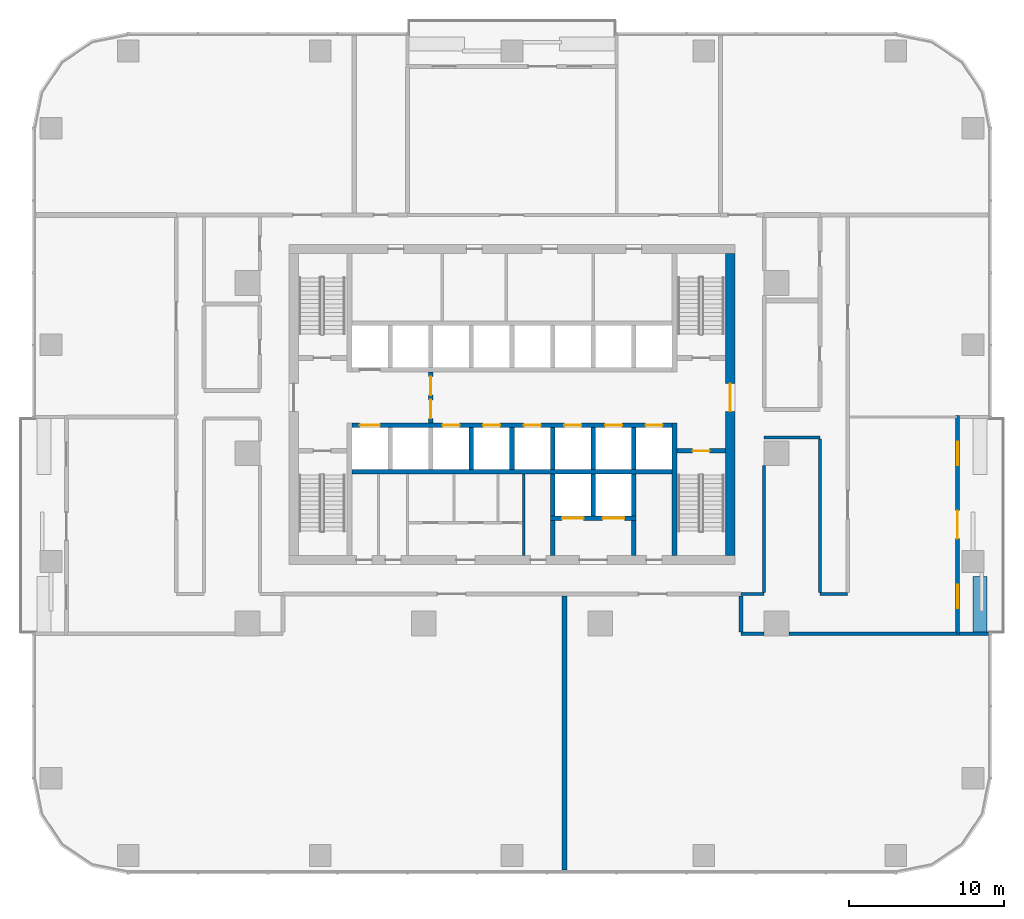
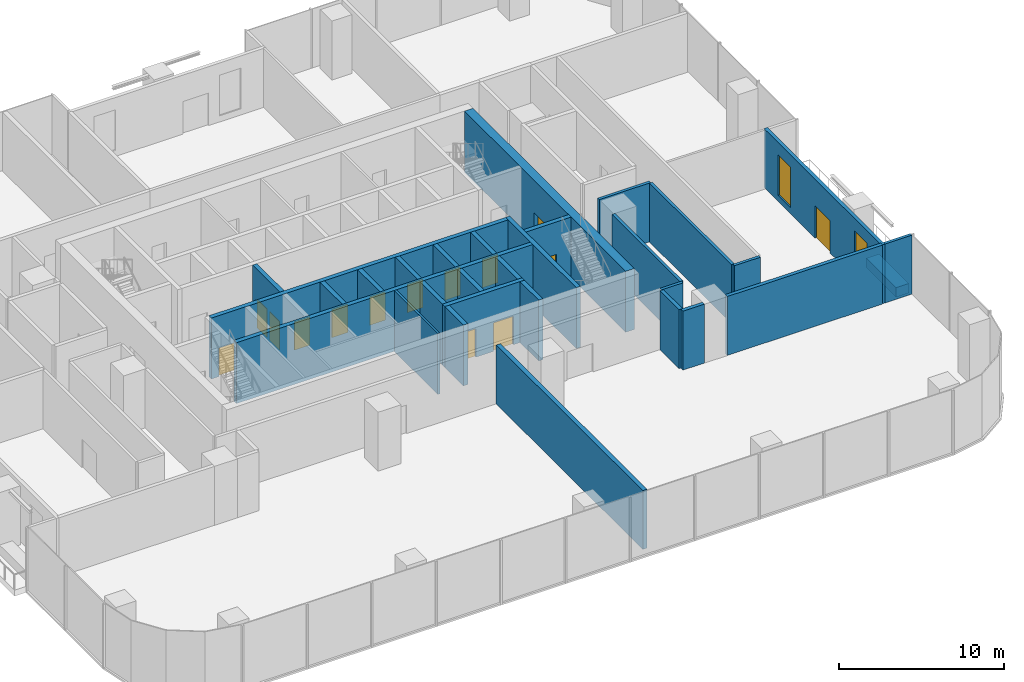
# One storey, part 8 of 14: 30 walls, 14 doors, 2 windows, 16 openings.
"""IFC4 building model written with IfcOpenShell, lengths in metres."""

from ifc_helpers import new_model, si_unit, direction, frame, frame_2d, origin, place, context, subcontext, project, spatial, rectangle, extrude, material, layer, layer_set, type_object, element, fill, save


model = new_model("IFC4")

# Units and contexts
model_context = context("Model", 3, precision=1e-05, world=origin(), true_north=direction((0.0, 1.0)))
body_context = subcontext(model_context, "Body", "Model", "MODEL_VIEW")
ifc_project = project(units=[si_unit("LENGTHUNIT", "METRE"), si_unit("AREAUNIT", "SQUARE_METRE"), si_unit("VOLUMEUNIT", "CUBIC_METRE"), si_unit("PLANEANGLEUNIT", "RADIAN"), si_unit("MASSUNIT", "GRAM", prefix="KILO")], contexts=[model_context])

# Site, building, storey
site_placement = place(None, origin())
site = spatial("IfcSite", under=ifc_project, at=site_placement, CompositionType="ELEMENT")
building_placement = place(site_placement, origin())
building = spatial("IfcBuilding", under=site, at=building_placement, Name="Mopane Tessera Tower", CompositionType="ELEMENT")
storey_placement = place(building_placement, frame((0.0, 0.0, 40.60009765625)))
storey = spatial("IfcBuildingStorey", under=building, at=storey_placement, Name="L07", CompositionType="ELEMENT", Elevation=40.60009765625)

# Wall
ifc_material_1 = material(Name="Fire-rated gypsum board partition")
ifc_layer_1 = layer(ifc_material_1, 0.14990234375)
ifc_layer_set_1 = layer_set([ifc_layer_1], Name="Fire-rated gypsum board partition")
wall_type_1 = type_object("IfcWallType", Name="Core room partition 150 mm", PredefinedType="PARTITIONING", material=ifc_layer_set_1)
wall_1_placement = place(storey_placement, frame((0.75, -6.60009765625, 0.0), z_axis=(0.0, 0.0, 1.0), x_axis=(0.0, 1.0, 0.0)))
element("IfcWall", 1, at=wall_1_placement, inside=storey, type_object=wall_type_1, Name="L07 Room partition", PredefinedType="PARTITIONING", context=body_context, shape_type="SweptSolid", body=[
    extrude(rectangle(XDim=5.25, YDim=0.14990234375, at=frame_2d((2.625, 0.0))), origin(), (0.0, 0.0, 1.0), 4.5),
])

# Wall, opening, door
ifc_material_2 = material(Name="Concrete C70/85", Category="concrete")
ifc_layer_2 = layer(ifc_material_2, 0.60009765625)
ifc_layer_set_2 = layer_set([ifc_layer_2], Name="Concrete C70/85")
wall_type_2 = type_object("IfcWallType", Name="Core shear wall 600 mm", PredefinedType="SHEAR", material=ifc_layer_set_2)
wall_2_placement = place(storey_placement, frame((14.10009765625, -6.60009765625, 0.0), z_axis=(0.0, 0.0, 1.0), x_axis=(0.0, 1.0, 0.0)))
wall_2 = element("IfcWall", 2, at=wall_2_placement, inside=storey, type_object=wall_type_2, Name="L07 Core wall east", PredefinedType="SHEAR", context=body_context, shape_type="SweptSolid", body=[
    extrude(rectangle(XDim=19.5, YDim=0.60009765625, at=frame_2d((9.75, 0.0))), origin(), (0.0, 0.0, 1.0), 4.5),
])
opening_1_placement = place(wall_2_placement, frame((9.300048828125, 0.0, 0.0)))
opening_1 = element("IfcOpeningElement", 3, at=opening_1_placement, cuts=wall_2, Name="Opening SD2", PredefinedType="OPENING", context=body_context, shape_type="SweptSolid", body=[
    extrude(rectangle(XDim=1.800048828125, YDim=2.10009765625, at=frame_2d((0.89990234375, 1.050048828125))), frame((0.0, 0.31201171875, 0.0), z_axis=(0.0, -1.0, 0.0), x_axis=(1.0, 0.0, 0.0)), (0.0, 0.0, 1.0), 0.6240234375),
])
ifc_material_3 = material(Name="Steel fire door", Category="steel")
door_type_1 = type_object("IfcDoorType", Name="Core entrance double door 1800 x 2100", OperationType="DOUBLE_DOOR_SINGLE_SWING", PredefinedType="DOOR", material=ifc_material_3)
door_1_placement = place(opening_1_placement, origin())
door_1 = element("IfcDoor", 4, at=door_1_placement, inside=storey, type_object=door_type_1, Name="L07 Core entrance door east", OperationType="DOUBLE_DOOR_SINGLE_SWING", OverallHeight=2.10009765625, OverallWidth=1.800048828125, PredefinedType="DOOR", context=body_context, shape_type="SweptSolid", body=[
    extrude(rectangle(XDim=1.800048828125, YDim=2.10009765625, at=frame_2d((0.89990234375, 1.050048828125))), frame((0.0, 0.02490234375, 0.0), z_axis=(0.0, -1.0, 0.0), x_axis=(1.0, 0.0, 0.0)), (0.0, 0.0, 1.0), 0.050048828125),
])
fill(opening_1, door_1)

# Walls
ifc_material_4 = material(Name="Concrete C60/75", Category="concrete")
ifc_layer_3 = layer(ifc_material_4, 0.300048828125)
ifc_layer_set_3 = layer_set([ifc_layer_3], Name="Concrete C60/75")
wall_type_3 = type_object("IfcWallType", Name="Core spine wall 300 mm", PredefinedType="SHEAR", material=ifc_layer_set_3)
wall_3_placement = place(storey_placement, frame((10.5, -6.60009765625, 0.0), z_axis=(0.0, 0.0, 1.0), x_axis=(0.0, 1.0, 0.0)))
element("IfcWall", 5, at=wall_3_placement, inside=storey, type_object=wall_type_3, Name="L07 Core spine wall", PredefinedType="SHEAR", context=body_context, shape_type="SweptSolid", body=[
    extrude(rectangle(XDim=8.550048828125, YDim=0.300048828125, at=frame_2d((4.27490234375, 0.0))), origin(), (0.0, 0.0, 1.0), 4.5),
])
ifc_material_5 = material(Name="Gypsum board on steel studs, two layers each face, mineral wool infill", Category="steel")
ifc_layer_4 = layer(ifc_material_5, 0.199951171875)
ifc_layer_set_4 = layer_set([ifc_layer_4], Name="Gypsum board on steel studs, two layers each face, mineral wool infill")
wall_type_4 = type_object("IfcWallType", Name="Gypsum board corridor wall 200, rated EI 60", PredefinedType="PARTITIONING", material=ifc_layer_set_4)
wall_4_placement = place(storey_placement, frame((14.800048828125, -9.10009765625, 0.0), z_axis=(0.0, 0.0, 1.0), x_axis=(1.0, 0.0, 0.0)))
element("IfcWall", 6, at=wall_4_placement, inside=storey, type_object=wall_type_4, Name="Partition L07:006", PredefinedType="PARTITIONING", context=body_context, shape_type="SweptSolid", body=[
    extrude(rectangle(XDim=1.5, YDim=0.199951171875, at=frame_2d((0.75, 0.0))), origin(), (0.0, 0.0, 1.0), 4.349853515625),
])
wall_5_placement = place(storey_placement, frame((19.89990234375, -9.10009765625, 0.0), z_axis=(0.0, 0.0, 1.0), x_axis=(1.0, 0.0, 0.0)))
element("IfcWall", 7, at=wall_5_placement, inside=storey, type_object=wall_type_4, Name="Partition L07:007", PredefinedType="PARTITIONING", context=body_context, shape_type="SweptSolid", body=[
    extrude(rectangle(XDim=1.800048828125, YDim=0.199951171875, at=frame_2d((0.89990234375, 0.0))), origin(), (0.0, 0.0, 1.0), 4.349853515625),
])
wall_6_placement = place(storey_placement, frame((16.300048828125, 1.02490234375, 0.0), z_axis=(0.0, 0.0, 1.0), x_axis=(1.0, 0.0, 0.0)))
element("IfcWall", 8, at=wall_6_placement, inside=storey, type_object=wall_type_4, Name="Partition L07:009", PredefinedType="PARTITIONING", context=body_context, shape_type="SweptSolid", body=[
    extrude(rectangle(XDim=3.599853515625, YDim=0.199951171875, at=frame_2d((1.7998046875, 0.0))), origin(), (0.0, 0.0, 1.0), 4.349853515625),
])
wall_7_placement = place(storey_placement, frame((16.300048828125, -9.0, 0.0), z_axis=(0.0, 0.0, 1.0), x_axis=(0.0, 1.0, 0.0)))
element("IfcWall", 9, at=wall_7_placement, inside=storey, type_object=wall_type_4, Name="Partition L07:040", PredefinedType="PARTITIONING", context=body_context, shape_type="SweptSolid", body=[
    extrude(rectangle(XDim=8.199951171875, YDim=0.199951171875, at=frame_2d((4.10009765625, 0.0))), origin(), (0.0, 0.0, 1.0), 4.349853515625),
])
wall_8_placement = place(storey_placement, frame((19.89990234375, -9.0, 0.0), z_axis=(0.0, 0.0, 1.0), x_axis=(0.0, 1.0, 0.0)))
element("IfcWall", 10, at=wall_8_placement, inside=storey, type_object=wall_type_4, Name="Partition L07:043", PredefinedType="PARTITIONING", context=body_context, shape_type="SweptSolid", body=[
    extrude(rectangle(XDim=9.925048828125, YDim=0.199951171875, at=frame_2d((4.96240234375, 0.0))), origin(), (0.0, 0.0, 1.0), 4.349853515625),
])

# Wall, opening, door
ifc_material_6 = material(Name="Concrete C50/60", Category="concrete")
ifc_layer_5 = layer(ifc_material_6, 0.300048828125)
ifc_layer_set_5 = layer_set([ifc_layer_5], Name="Concrete C50/60")
wall_type_5 = type_object("IfcWallType", Name="Lift and stair shaft wall 300 mm", PredefinedType="SOLIDWALL", material=ifc_layer_set_5)
wall_9_placement = place(storey_placement, frame((10.64990234375, 0.14990234375, 0.0), z_axis=(0.0, 0.0, 1.0), x_axis=(1.0, 0.0, 0.0)))
wall_9 = element("IfcWall", 11, at=wall_9_placement, inside=storey, type_object=wall_type_5, Name="L07 Stair enclosure wall", PredefinedType="SOLIDWALL", context=body_context, shape_type="SweptSolid", body=[
    extrude(rectangle(XDim=3.150146484375, YDim=0.300048828125, at=frame_2d((1.5751953125, 0.0))), origin(), (0.0, 0.0, 1.0), 4.5),
])
opening_2_placement = place(wall_9_placement, frame((1.02490234375, 0.0, 0.0)))
opening_2 = element("IfcOpeningElement", 12, at=opening_2_placement, cuts=wall_9, Name="Opening SD1", PredefinedType="OPENING", context=body_context, shape_type="SweptSolid", body=[
    extrude(rectangle(XDim=1.10009765625, YDim=2.10009765625, at=frame_2d((0.550048828125, 1.050048828125))), frame((0.0, 0.162109375, 0.0), z_axis=(0.0, -1.0, 0.0), x_axis=(1.0, 0.0, 0.0)), (0.0, 0.0, 1.0), 0.323974609375),
])
ifc_material_7 = material(Name="Steel fire door", Category="steel")
door_type_2 = type_object("IfcDoorType", Name="Stair fire door 1100 x 2100", OperationType="SINGLE_SWING_LEFT", PredefinedType="DOOR", material=ifc_material_7)
door_2_placement = place(opening_2_placement, origin())
door_2 = element("IfcDoor", 13, at=door_2_placement, inside=storey, type_object=door_type_2, Name="L07 Stair door ST3", OperationType="SINGLE_SWING_RIGHT", OverallHeight=2.10009765625, OverallWidth=1.10009765625, PredefinedType="DOOR", context=body_context, shape_type="SweptSolid", body=[
    extrude(rectangle(XDim=1.10009765625, YDim=2.10009765625, at=frame_2d((0.550048828125, 1.050048828125))), frame((0.0, 0.02490234375, 0.0), z_axis=(0.0, -1.0, 0.0), x_axis=(1.0, 0.0, 0.0)), (0.0, 0.0, 1.0), 0.050048828125),
])
fill(opening_2, door_2)

# Wall
wall_10_placement = place(storey_placement, frame((-10.35009765625, -1.199951171875, 0.0), z_axis=(0.0, 0.0, 1.0), x_axis=(1.0, 0.0, 0.0)))
element("IfcWall", 14, at=wall_10_placement, inside=storey, type_object=wall_type_5, Name="L07 Lift shaft rear wall", PredefinedType="SOLIDWALL", context=body_context, shape_type="SweptSolid", body=[
    extrude(rectangle(XDim=20.7001953125, YDim=0.300048828125, at=frame_2d((10.35009765625, 0.0))), origin(), (0.0, 0.0, 1.0), 4.5),
])

# Wall, openings, doors
wall_11_placement = place(storey_placement, frame((-10.35009765625, 1.800048828125, 0.0), z_axis=(0.0, 0.0, 1.0), x_axis=(1.0, 0.0, 0.0)))
wall_11 = element("IfcWall", 15, at=wall_11_placement, inside=storey, type_object=wall_type_5, Name="L07 Lift shaft front wall", PredefinedType="SOLIDWALL", context=body_context, shape_type="SweptSolid", body=[
    extrude(rectangle(XDim=20.7001953125, YDim=0.300048828125, at=frame_2d((10.35009765625, 0.0))), origin(), (0.0, 0.0, 1.0), 4.5),
])
opening_3_placement = place(wall_11_placement, frame((0.512451171875, 0.0, 0.0)))
opening_3 = element("IfcOpeningElement", 16, at=opening_3_placement, cuts=wall_11, Name="Opening LD2", PredefinedType="OPENING", context=body_context, shape_type="SweptSolid", body=[
    extrude(rectangle(XDim=1.300048828125, YDim=2.10009765625, at=frame_2d((0.64990234375, 1.050048828125))), frame((0.0, 0.162109375, 0.0), z_axis=(0.0, -1.0, 0.0), x_axis=(1.0, 0.0, 0.0)), (0.0, 0.0, 1.0), 0.323974609375),
])
opening_4_placement = place(wall_11_placement, frame((5.862548828125, 0.0, 0.0)))
opening_4 = element("IfcOpeningElement", 17, at=opening_4_placement, cuts=wall_11, Name="Opening LD", PredefinedType="OPENING", context=body_context, shape_type="SweptSolid", body=[
    extrude(rectangle(XDim=1.10009765625, YDim=2.10009765625, at=frame_2d((0.550048828125, 1.050048828125))), frame((0.0, 0.162109375, 0.0), z_axis=(0.0, -1.0, 0.0), x_axis=(1.0, 0.0, 0.0)), (0.0, 0.0, 1.0), 0.323974609375),
])
opening_5_placement = place(wall_11_placement, frame((8.487548828125, 0.0, 0.0)))
opening_5 = element("IfcOpeningElement", 18, at=opening_5_placement, cuts=wall_11, Name="Opening LD", PredefinedType="OPENING", context=body_context, shape_type="SweptSolid", body=[
    extrude(rectangle(XDim=1.10009765625, YDim=2.10009765625, at=frame_2d((0.550048828125, 1.050048828125))), frame((0.0, 0.162109375, 0.0), z_axis=(0.0, -1.0, 0.0), x_axis=(1.0, 0.0, 0.0)), (0.0, 0.0, 1.0), 0.323974609375),
])
opening_6_placement = place(wall_11_placement, frame((11.112548828125, 0.0, 0.0)))
opening_6 = element("IfcOpeningElement", 19, at=opening_6_placement, cuts=wall_11, Name="Opening LD", PredefinedType="OPENING", context=body_context, shape_type="SweptSolid", body=[
    extrude(rectangle(XDim=1.10009765625, YDim=2.10009765625, at=frame_2d((0.550048828125, 1.050048828125))), frame((0.0, 0.162109375, 0.0), z_axis=(0.0, -1.0, 0.0), x_axis=(1.0, 0.0, 0.0)), (0.0, 0.0, 1.0), 0.323974609375),
])
opening_7_placement = place(wall_11_placement, frame((13.737548828125, 0.0, 0.0)))
opening_7 = element("IfcOpeningElement", 20, at=opening_7_placement, cuts=wall_11, Name="Opening LD", PredefinedType="OPENING", context=body_context, shape_type="SweptSolid", body=[
    extrude(rectangle(XDim=1.10009765625, YDim=2.10009765625, at=frame_2d((0.550048828125, 1.050048828125))), frame((0.0, 0.162109375, 0.0), z_axis=(0.0, -1.0, 0.0), x_axis=(1.0, 0.0, 0.0)), (0.0, 0.0, 1.0), 0.323974609375),
])
opening_8_placement = place(wall_11_placement, frame((16.362548828125, 0.0, 0.0)))
opening_8 = element("IfcOpeningElement", 21, at=opening_8_placement, cuts=wall_11, Name="Opening LD", PredefinedType="OPENING", context=body_context, shape_type="SweptSolid", body=[
    extrude(rectangle(XDim=1.10009765625, YDim=2.10009765625, at=frame_2d((0.550048828125, 1.050048828125))), frame((0.0, 0.162109375, 0.0), z_axis=(0.0, -1.0, 0.0), x_axis=(1.0, 0.0, 0.0)), (0.0, 0.0, 1.0), 0.323974609375),
])
opening_9_placement = place(wall_11_placement, frame((18.987548828125, 0.0, 0.0)))
opening_9 = element("IfcOpeningElement", 22, at=opening_9_placement, cuts=wall_11, Name="Opening LD", PredefinedType="OPENING", context=body_context, shape_type="SweptSolid", body=[
    extrude(rectangle(XDim=1.10009765625, YDim=2.10009765625, at=frame_2d((0.550048828125, 1.050048828125))), frame((0.0, 0.162109375, 0.0), z_axis=(0.0, -1.0, 0.0), x_axis=(1.0, 0.0, 0.0)), (0.0, 0.0, 1.0), 0.323974609375),
])
ifc_material_8 = material(Name="Stainless steel sliding door", Category="steel")
door_type_3 = type_object("IfcDoorType", Name="Fire-fighting lift landing door 1300 x 2100", OperationType="DOUBLE_DOOR_SLIDING", PredefinedType="DOOR", material=ifc_material_8)
door_3_placement = place(opening_3_placement, origin())
door_3 = element("IfcDoor", 23, at=door_3_placement, inside=storey, type_object=door_type_3, Name="L07 Lift landing door FF1", OperationType="DOUBLE_DOOR_SLIDING", OverallHeight=2.10009765625, OverallWidth=1.300048828125, PredefinedType="DOOR", context=body_context, shape_type="SweptSolid", body=[
    extrude(rectangle(XDim=1.300048828125, YDim=2.10009765625, at=frame_2d((0.64990234375, 1.050048828125))), frame((0.0, 0.02490234375, 0.0), z_axis=(0.0, -1.0, 0.0), x_axis=(1.0, 0.0, 0.0)), (0.0, 0.0, 1.0), 0.050048828125),
])
fill(opening_3, door_3)
ifc_material_9 = material(Name="Stainless steel sliding door", Category="steel")
door_type_4 = type_object("IfcDoorType", Name="Lift landing door 1100 x 2100", OperationType="DOUBLE_DOOR_SLIDING", PredefinedType="DOOR", material=ifc_material_9)
door_4_placement = place(opening_4_placement, origin())
door_4 = element("IfcDoor", 24, at=door_4_placement, inside=storey, type_object=door_type_4, Name="L07 Lift landing door LR1", OperationType="DOUBLE_DOOR_SLIDING", OverallHeight=2.10009765625, OverallWidth=1.10009765625, PredefinedType="DOOR", context=body_context, shape_type="SweptSolid", body=[
    extrude(rectangle(XDim=1.10009765625, YDim=2.10009765625, at=frame_2d((0.550048828125, 1.050048828125))), frame((0.0, 0.02490234375, 0.0), z_axis=(0.0, -1.0, 0.0), x_axis=(1.0, 0.0, 0.0)), (0.0, 0.0, 1.0), 0.050048828125),
])
fill(opening_4, door_4)
door_5_placement = place(opening_5_placement, origin())
door_5 = element("IfcDoor", 25, at=door_5_placement, inside=storey, type_object=door_type_4, Name="L07 Lift landing door LR2", OperationType="DOUBLE_DOOR_SLIDING", OverallHeight=2.10009765625, OverallWidth=1.10009765625, PredefinedType="DOOR", context=body_context, shape_type="SweptSolid", body=[
    extrude(rectangle(XDim=1.10009765625, YDim=2.10009765625, at=frame_2d((0.550048828125, 1.050048828125))), frame((0.0, 0.02490234375, 0.0), z_axis=(0.0, -1.0, 0.0), x_axis=(1.0, 0.0, 0.0)), (0.0, 0.0, 1.0), 0.050048828125),
])
fill(opening_5, door_5)
door_6_placement = place(opening_6_placement, origin())
door_6 = element("IfcDoor", 26, at=door_6_placement, inside=storey, type_object=door_type_4, Name="L07 Lift landing door LR3", OperationType="DOUBLE_DOOR_SLIDING", OverallHeight=2.10009765625, OverallWidth=1.10009765625, PredefinedType="DOOR", context=body_context, shape_type="SweptSolid", body=[
    extrude(rectangle(XDim=1.10009765625, YDim=2.10009765625, at=frame_2d((0.550048828125, 1.050048828125))), frame((0.0, 0.02490234375, 0.0), z_axis=(0.0, -1.0, 0.0), x_axis=(1.0, 0.0, 0.0)), (0.0, 0.0, 1.0), 0.050048828125),
])
fill(opening_6, door_6)
door_7_placement = place(opening_7_placement, origin())
door_7 = element("IfcDoor", 27, at=door_7_placement, inside=storey, type_object=door_type_4, Name="L07 Lift landing door LR4", OperationType="DOUBLE_DOOR_SLIDING", OverallHeight=2.10009765625, OverallWidth=1.10009765625, PredefinedType="DOOR", context=body_context, shape_type="SweptSolid", body=[
    extrude(rectangle(XDim=1.10009765625, YDim=2.10009765625, at=frame_2d((0.550048828125, 1.050048828125))), frame((0.0, 0.02490234375, 0.0), z_axis=(0.0, -1.0, 0.0), x_axis=(1.0, 0.0, 0.0)), (0.0, 0.0, 1.0), 0.050048828125),
])
fill(opening_7, door_7)
door_8_placement = place(opening_8_placement, origin())
door_8 = element("IfcDoor", 28, at=door_8_placement, inside=storey, type_object=door_type_4, Name="L07 Lift landing door LR5", OperationType="DOUBLE_DOOR_SLIDING", OverallHeight=2.10009765625, OverallWidth=1.10009765625, PredefinedType="DOOR", context=body_context, shape_type="SweptSolid", body=[
    extrude(rectangle(XDim=1.10009765625, YDim=2.10009765625, at=frame_2d((0.550048828125, 1.050048828125))), frame((0.0, 0.02490234375, 0.0), z_axis=(0.0, -1.0, 0.0), x_axis=(1.0, 0.0, 0.0)), (0.0, 0.0, 1.0), 0.050048828125),
])
fill(opening_8, door_8)
door_9_placement = place(opening_9_placement, origin())
door_9 = element("IfcDoor", 29, at=door_9_placement, inside=storey, type_object=door_type_4, Name="L07 Lift landing door LR6", OperationType="DOUBLE_DOOR_SLIDING", OverallHeight=2.10009765625, OverallWidth=1.10009765625, PredefinedType="DOOR", context=body_context, shape_type="SweptSolid", body=[
    extrude(rectangle(XDim=1.10009765625, YDim=2.10009765625, at=frame_2d((0.550048828125, 1.050048828125))), frame((0.0, 0.02490234375, 0.0), z_axis=(0.0, -1.0, 0.0), x_axis=(1.0, 0.0, 0.0)), (0.0, 0.0, 1.0), 0.050048828125),
])
fill(opening_9, door_9)

# Walls
for number, where, z_axis, x_axis, name in (
    (30, (-2.625, -1.050048828125, 0.0), (0.0, 0.0, 1.0), (0.0, 1.0, 0.0), "L07 Lift shaft wall"),
    (31, (0.0, -1.050048828125, 0.0), (0.0, 0.0, 1.0), (0.0, 1.0, 0.0), "L07 Lift shaft wall"),
    (32, (2.625, -1.050048828125, 0.0), (0.0, 0.0, 1.0), (0.0, 1.0, 0.0), "L07 Lift shaft wall"),
    (33, (5.25, -1.050048828125, 0.0), (0.0, 0.0, 1.0), (0.0, 1.0, 0.0), "L07 Lift shaft wall"),
    (34, (7.875, -1.050048828125, 0.0), (0.0, 0.0, 1.0), (0.0, 1.0, 0.0), "L07 Lift shaft wall"),
):
    element("IfcWall", number, at=place(storey_placement, frame(where, z_axis=z_axis, x_axis=x_axis)), inside=storey, type_object=wall_type_5, Name=name, PredefinedType="SOLIDWALL", context=body_context, shape_type="SweptSolid", body=[
        extrude(rectangle(XDim=2.699951171875, YDim=0.300048828125, at=frame_2d((1.35009765625, 0.0))), origin(), (0.0, 0.0, 1.0), 4.5),
    ])

# Wall, openings, doors
wall_12_placement = place(storey_placement, frame((2.47509765625, -4.199951171875, 0.0), z_axis=(0.0, 0.0, 1.0), x_axis=(1.0, 0.0, 0.0)))
wall_12 = element("IfcWall", 35, at=wall_12_placement, inside=storey, type_object=wall_type_5, Name="L07 Lift shaft front wall", PredefinedType="SOLIDWALL", context=body_context, shape_type="SweptSolid", body=[
    extrude(rectangle(XDim=5.5498046875, YDim=0.300048828125, at=frame_2d((2.77490234375, 0.0))), origin(), (0.0, 0.0, 1.0), 4.5),
])
opening_10_placement = place(wall_12_placement, frame((0.762451171875, 0.0, 0.0)))
opening_10 = element("IfcOpeningElement", 36, at=opening_10_placement, cuts=wall_12, Name="Opening LD3", PredefinedType="OPENING", context=body_context, shape_type="SweptSolid", body=[
    extrude(rectangle(XDim=1.39990234375, YDim=2.10009765625, at=frame_2d((0.699951171875, 1.050048828125))), frame((0.0, 0.162109375, 0.0), z_axis=(0.0, -1.0, 0.0), x_axis=(1.0, 0.0, 0.0)), (0.0, 0.0, 1.0), 0.323974609375),
])
opening_11_placement = place(wall_12_placement, frame((3.387451171875, 0.0, 0.0)))
opening_11 = element("IfcOpeningElement", 37, at=opening_11_placement, cuts=wall_12, Name="Opening LD3", PredefinedType="OPENING", context=body_context, shape_type="SweptSolid", body=[
    extrude(rectangle(XDim=1.39990234375, YDim=2.10009765625, at=frame_2d((0.699951171875, 1.050048828125))), frame((0.0, 0.162109375, 0.0), z_axis=(0.0, -1.0, 0.0), x_axis=(1.0, 0.0, 0.0)), (0.0, 0.0, 1.0), 0.323974609375),
])
ifc_material_10 = material(Name="Stainless steel sliding door", Category="steel")
door_type_5 = type_object("IfcDoorType", Name="Service lift landing door 1400 x 2100", OperationType="DOUBLE_DOOR_SLIDING", PredefinedType="DOOR", material=ifc_material_10)
door_10_placement = place(opening_10_placement, origin())
door_10 = element("IfcDoor", 38, at=door_10_placement, inside=storey, type_object=door_type_5, Name="L07 Lift landing door SV1", OperationType="DOUBLE_DOOR_SLIDING", OverallHeight=2.10009765625, OverallWidth=1.39990234375, PredefinedType="DOOR", context=body_context, shape_type="SweptSolid", body=[
    extrude(rectangle(XDim=1.39990234375, YDim=2.10009765625, at=frame_2d((0.699951171875, 1.050048828125))), frame((0.0, 0.02490234375, 0.0), z_axis=(0.0, -1.0, 0.0), x_axis=(1.0, 0.0, 0.0)), (0.0, 0.0, 1.0), 0.050048828125),
])
fill(opening_10, door_10)
door_11_placement = place(opening_11_placement, origin())
door_11 = element("IfcDoor", 39, at=door_11_placement, inside=storey, type_object=door_type_5, Name="L07 Lift landing door SV2", OperationType="DOUBLE_DOOR_SLIDING", OverallHeight=2.10009765625, OverallWidth=1.39990234375, PredefinedType="DOOR", context=body_context, shape_type="SweptSolid", body=[
    extrude(rectangle(XDim=1.39990234375, YDim=2.10009765625, at=frame_2d((0.699951171875, 1.050048828125))), frame((0.0, 0.02490234375, 0.0), z_axis=(0.0, -1.0, 0.0), x_axis=(1.0, 0.0, 0.0)), (0.0, 0.0, 1.0), 0.050048828125),
])
fill(opening_11, door_11)

# Walls
for number, where, z_axis, x_axis, name in (
    (40, (2.625, -4.050048828125, 0.0), (0.0, 0.0, 1.0), (0.0, 1.0, 0.0), "L07 Lift shaft wall"),
    (41, (5.25, -4.050048828125, 0.0), (0.0, 0.0, 1.0), (0.0, 1.0, 0.0), "L07 Lift shaft wall"),
    (42, (7.875, -4.050048828125, 0.0), (0.0, 0.0, 1.0), (0.0, 1.0, 0.0), "L07 Lift shaft wall"),
):
    element("IfcWall", number, at=place(storey_placement, frame(where, z_axis=z_axis, x_axis=x_axis)), inside=storey, type_object=wall_type_5, Name=name, PredefinedType="SOLIDWALL", context=body_context, shape_type="SweptSolid", body=[
        extrude(rectangle(XDim=2.699951171875, YDim=0.300048828125, at=frame_2d((1.35009765625, 0.0))), origin(), (0.0, 0.0, 1.0), 4.5),
    ])

# Wall, openings, doors
ifc_material_11 = material(Name="Concrete C50/60", Category="concrete")
ifc_layer_6 = layer(ifc_material_11, 0.300048828125)
ifc_layer_set_6 = layer_set([ifc_layer_6], Name="Concrete C50/60")
wall_type_6 = type_object("IfcWallType", Name="Lobby and refuge room wall 300 mm", PredefinedType="SOLIDWALL", material=ifc_layer_set_6)
wall_13_placement = place(storey_placement, frame((-5.25, 1.949951171875, 0.0), z_axis=(0.0, 0.0, 1.0), x_axis=(0.0, 1.0, 0.0)))
wall_13 = element("IfcWall", 43, at=wall_13_placement, inside=storey, type_object=wall_type_6, Name="L07 Fire-fighting lobby wall", PredefinedType="SOLIDWALL", context=body_context, shape_type="SweptSolid", body=[
    extrude(rectangle(XDim=3.300048828125, YDim=0.300048828125, at=frame_2d((1.64990234375, 0.0))), origin(), (0.0, 0.0, 1.0), 4.5),
])
opening_12_placement = place(wall_13_placement, frame((0.300048828125, 0.0, 0.0)))
opening_12 = element("IfcOpeningElement", 44, at=opening_12_placement, cuts=wall_13, Name="Opening SD3", PredefinedType="OPENING", context=body_context, shape_type="SweptSolid", body=[
    extrude(rectangle(XDim=1.199951171875, YDim=2.10009765625, at=frame_2d((0.60009765625, 1.050048828125))), frame((0.0, 0.162109375, 0.0), z_axis=(0.0, -1.0, 0.0), x_axis=(1.0, 0.0, 0.0)), (0.0, 0.0, 1.0), 0.323974609375),
])
opening_13_placement = place(wall_13_placement, frame((1.800048828125, 0.0, 0.0)))
opening_13 = element("IfcOpeningElement", 45, at=opening_13_placement, cuts=wall_13, Name="Opening SD3", PredefinedType="OPENING", context=body_context, shape_type="SweptSolid", body=[
    extrude(rectangle(XDim=1.199951171875, YDim=2.10009765625, at=frame_2d((0.60009765625, 1.050048828125))), frame((0.0, 0.162109375, 0.0), z_axis=(0.0, -1.0, 0.0), x_axis=(1.0, 0.0, 0.0)), (0.0, 0.0, 1.0), 0.323974609375),
])
ifc_material_12 = material(Name="Steel fire door", Category="steel")
door_type_6 = type_object("IfcDoorType", Name="Lobby fire door 1200 x 2100", OperationType="SINGLE_SWING_LEFT", PredefinedType="DOOR", material=ifc_material_12)
door_12_placement = place(opening_12_placement, origin())
door_12 = element("IfcDoor", 46, at=door_12_placement, inside=storey, type_object=door_type_6, Name="L07 Fire-fighting lobby door", OperationType="SINGLE_SWING_LEFT", OverallHeight=2.10009765625, OverallWidth=1.199951171875, PredefinedType="DOOR", context=body_context, shape_type="SweptSolid", body=[
    extrude(rectangle(XDim=1.199951171875, YDim=2.10009765625, at=frame_2d((0.60009765625, 1.050048828125))), frame((0.0, 0.02490234375, 0.0), z_axis=(0.0, -1.0, 0.0), x_axis=(1.0, 0.0, 0.0)), (0.0, 0.0, 1.0), 0.050048828125),
])
fill(opening_12, door_12)
door_13_placement = place(opening_13_placement, origin())
door_13 = element("IfcDoor", 47, at=door_13_placement, inside=storey, type_object=door_type_6, Name="L07 Fire-fighting lobby door", OperationType="SINGLE_SWING_RIGHT", OverallHeight=2.10009765625, OverallWidth=1.199951171875, PredefinedType="DOOR", context=body_context, shape_type="SweptSolid", body=[
    extrude(rectangle(XDim=1.199951171875, YDim=2.10009765625, at=frame_2d((0.60009765625, 1.050048828125))), frame((0.0, 0.02490234375, 0.0), z_axis=(0.0, -1.0, 0.0), x_axis=(1.0, 0.0, 0.0)), (0.0, 0.0, 1.0), 0.050048828125),
])
fill(opening_13, door_13)

# Walls
for number, where, z_axis, x_axis, name in (
    (48, (2.625, -6.60009765625, 0.0), (0.0, 0.0, 1.0), (0.0, 1.0, 0.0), "L07 Service lobby wall"),
    (49, (7.875, -6.60009765625, 0.0), (0.0, 0.0, 1.0), (0.0, 1.0, 0.0), "L07 Service lobby wall"),
):
    element("IfcWall", number, at=place(storey_placement, frame(where, z_axis=z_axis, x_axis=x_axis)), inside=storey, type_object=wall_type_6, Name=name, PredefinedType="SOLIDWALL", context=body_context, shape_type="SweptSolid", body=[
        extrude(rectangle(XDim=2.25, YDim=0.300048828125, at=frame_2d((1.125, 0.0))), origin(), (0.0, 0.0, 1.0), 4.5),
    ])
ifc_material_13 = material(Name="Reinforced concrete C32/40 with waterproofing", Category="concrete")
ifc_layer_7 = layer(ifc_material_13, 0.89990234375)
ifc_layer_set_7 = layer_set([ifc_layer_7], Name="Reinforced concrete C32/40 with waterproofing")
wall_type_7 = type_object("IfcWallType", Name="Planter trough 3600 x 900", PredefinedType="STANDARD", material=ifc_layer_set_7)
wall_14_placement = place(storey_placement, frame((30.25, -11.566650390625, 0.0), z_axis=(0.0, 0.0, 1.0), x_axis=(0.0, 1.0, 0.0)))
element("IfcWall", 50, at=wall_14_placement, inside=storey, type_object=wall_type_7, Name="e:nw:L07:N1:pl0", PredefinedType="STANDARD", context=body_context, shape_type="SweptSolid", body=[
    extrude(rectangle(XDim=3.60009765625, YDim=0.89990234375, at=frame_2d((1.800048828125, 0.0))), origin(), (0.0, 0.0, 1.0), 0.699951171875),
])
ifc_material_14 = material(Name="Plastered concrete blockwork C20/25", Category="masonry")
ifc_layer_8 = layer(ifc_material_14, 0.300048828125)
ifc_layer_set_8 = layer_set([ifc_layer_8], Name="Plastered concrete blockwork C20/25")
wall_type_8 = type_object("IfcWallType", Name="Plastered blockwork separation wall 300, rated EI 120", PredefinedType="PARTITIONING", material=ifc_layer_set_8)
wall_15_placement = place(storey_placement, frame((3.39501953125, -26.949951171875, 0.0), z_axis=(0.0, 0.0, 1.0), x_axis=(0.0, 1.0, 0.0)))
element("IfcWall", 51, at=wall_15_placement, inside=storey, type_object=wall_type_8, Name="Partition L07:036", PredefinedType="PARTITIONING", context=body_context, shape_type="SweptSolid", body=[
    extrude(rectangle(XDim=17.724853515625, YDim=0.300048828125, at=frame_2d((8.8623046875, 0.0))), origin(), (0.0, 0.0, 1.0), 4.349853515625),
])
ifc_material_15 = material(Name="Plastered concrete blockwork C20/25", Category="masonry")
ifc_layer_9 = layer(ifc_material_15, 0.25)
ifc_layer_set_9 = layer_set([ifc_layer_9], Name="Plastered concrete blockwork C20/25")
wall_type_9 = type_object("IfcWallType", Name="Plastered blockwork wall 250, rated EI 120", PredefinedType="PARTITIONING", material=ifc_layer_set_9)
wall_16_placement = place(storey_placement, frame((14.800048828125, -11.6650390625, 0.0), z_axis=(0.0, 0.0, 1.0), x_axis=(1.0, 0.0, 0.0)))
element("IfcWall", 52, at=wall_16_placement, inside=storey, type_object=wall_type_9, Name="Partition L07:002", PredefinedType="PARTITIONING", context=body_context, shape_type="SweptSolid", body=[
    extrude(rectangle(XDim=1.5, YDim=0.25, at=frame_2d((0.75, 0.0))), origin(), (0.0, 0.0, 1.0), 4.349853515625),
])
wall_17_placement = place(storey_placement, frame((17.89990234375, -11.6650390625, 0.0), z_axis=(0.0, 0.0, 1.0), x_axis=(1.0, 0.0, 0.0)))
element("IfcWall", 53, at=wall_17_placement, inside=storey, type_object=wall_type_9, Name="Partition L07:003", PredefinedType="PARTITIONING", context=body_context, shape_type="SweptSolid", body=[
    extrude(rectangle(XDim=10.85009765625, YDim=0.25, at=frame_2d((5.425048828125, 0.0))), origin(), (0.0, 0.0, 1.0), 4.349853515625),
])
wall_18_placement = place(storey_placement, frame((14.800048828125, -11.5400390625, 0.0), z_axis=(0.0, 0.0, 1.0), x_axis=(0.0, 1.0, 0.0)))
element("IfcWall", 54, at=wall_18_placement, inside=storey, type_object=wall_type_9, Name="Partition L07:039", PredefinedType="PARTITIONING", context=body_context, shape_type="SweptSolid", body=[
    extrude(rectangle(XDim=2.31494140625, YDim=0.25, at=frame_2d((1.157470703125, 0.0))), origin(), (0.0, 0.0, 1.0), 4.349853515625),
])
ifc_material_16 = material(Name="Blockwork with glazed tile facing", Category="masonry")
ifc_layer_10 = layer(ifc_material_16, 0.199951171875)
ifc_layer_set_10 = layer_set([ifc_layer_10], Name="Blockwork with glazed tile facing")
wall_type_10 = type_object("IfcWallType", Name="Terrace cheek wall 200", PredefinedType="STANDARD", material=ifc_layer_set_10)
wall_19_placement = place(storey_placement, frame((30.800048828125, -11.666748046875, 0.0), z_axis=(0.0, 0.0, 1.0), x_axis=(-1.0, 0.0, 0.0)))
element("IfcWall", 55, at=wall_19_placement, inside=storey, type_object=wall_type_10, Name="e:nw:L07:N1:cheeka", PredefinedType="STANDARD", context=body_context, shape_type="SweptSolid", body=[
    extrude(rectangle(XDim=1.875, YDim=0.199951171875, at=frame_2d((0.9375, 0.0))), origin(), (0.0, 0.0, 1.0), 4.349853515625),
])

# Wall, openings, windows, door
ifc_material_17 = material(Name="Blockwork with ultramarine glazed tile facing", Category="masonry")
ifc_layer_11 = layer(ifc_material_17, 0.25)
ifc_layer_set_11 = layer_set([ifc_layer_11], Name="Blockwork with ultramarine glazed tile facing")
wall_type_11 = type_object("IfcWallType", Name="Tile-clad external wall 250, ultramarine", PredefinedType="STANDARD", material=ifc_layer_set_11)
wall_20_placement = place(storey_placement, frame((28.800048828125, -11.7666015625, 0.0), z_axis=(0.0, 0.0, 1.0), x_axis=(0.0, 1.0, 0.0)))
wall_20 = element("IfcWall", 56, at=wall_20_placement, inside=storey, type_object=wall_type_11, Name="e:nw:L07:N1:back", PredefinedType="STANDARD", context=body_context, shape_type="SweptSolid", body=[
    extrude(rectangle(XDim=14.199951171875, YDim=0.25, at=frame_2d((7.10009765625, 0.0))), origin(), (0.0, 0.0, 1.0), 4.349853515625),
])
opening_14_placement = place(wall_20_placement, frame((1.75, 0.0, 0.449951171875)))
opening_14 = element("IfcOpeningElement", 57, at=opening_14_placement, cuts=wall_20, Name="Opening NW071A", PredefinedType="OPENING", context=body_context, shape_type="SweptSolid", body=[
    extrude(rectangle(XDim=1.5, YDim=3.0, at=frame_2d((0.75, 1.5))), frame((0.0, 0.136962890625, 0.0), z_axis=(0.0, -1.0, 0.0), x_axis=(1.0, 0.0, 0.0)), (0.0, 0.0, 1.0), 0.27392578125),
])
opening_15_placement = place(wall_20_placement, frame((6.25, 0.0, 0.0)))
opening_15 = element("IfcOpeningElement", 58, at=opening_15_placement, cuts=wall_20, Name="Opening ND071", PredefinedType="OPENING", context=body_context, shape_type="SweptSolid", body=[
    extrude(rectangle(XDim=1.800048828125, YDim=2.39990234375, at=frame_2d((0.89990234375, 1.199951171875))), frame((0.0, 0.136962890625, 0.0), z_axis=(0.0, -1.0, 0.0), x_axis=(1.0, 0.0, 0.0)), (0.0, 0.0, 1.0), 0.27392578125),
])
opening_16_placement = place(wall_20_placement, frame((11.0, 0.0, 0.449951171875)))
opening_16 = element("IfcOpeningElement", 59, at=opening_16_placement, cuts=wall_20, Name="Opening NW071B", PredefinedType="OPENING", context=body_context, shape_type="SweptSolid", body=[
    extrude(rectangle(XDim=1.5, YDim=3.0, at=frame_2d((0.75, 1.5))), frame((0.0, 0.136962890625, 0.0), z_axis=(0.0, -1.0, 0.0), x_axis=(1.0, 0.0, 0.0)), (0.0, 0.0, 1.0), 0.27392578125),
])
ifc_material_18 = material(Name="Clear laminated glass", Category="glass")
window_type = type_object("IfcWindowType", Name="Fixed window 1500 x 3000", PartitioningType="SINGLE_PANEL", PredefinedType="WINDOW", material=ifc_material_18)
window_1_placement = place(opening_14_placement, origin())
window_1 = element("IfcWindow", 60, at=window_1_placement, inside=storey, type_object=window_type, Name="e:nw:L07:N1:win0", OverallHeight=3.0, OverallWidth=1.5, PartitioningType="SINGLE_PANEL", PredefinedType="WINDOW", context=body_context, shape_type="SweptSolid", body=[
    extrude(rectangle(XDim=1.5, YDim=3.0, at=frame_2d((0.75, 1.5))), frame((0.0, 0.030029296875, 0.0), z_axis=(0.0, -1.0, 0.0), x_axis=(1.0, 0.0, 0.0)), (0.0, 0.0, 1.0), 0.06005859375),
])
fill(opening_14, window_1)
window_2_placement = place(opening_16_placement, origin())
window_2 = element("IfcWindow", 61, at=window_2_placement, inside=storey, type_object=window_type, Name="e:nw:L07:N1:win2", OverallHeight=3.0, OverallWidth=1.5, PartitioningType="SINGLE_PANEL", PredefinedType="WINDOW", context=body_context, shape_type="SweptSolid", body=[
    extrude(rectangle(XDim=1.5, YDim=3.0, at=frame_2d((0.75, 1.5))), frame((0.0, 0.030029296875, 0.0), z_axis=(0.0, -1.0, 0.0), x_axis=(1.0, 0.0, 0.0)), (0.0, 0.0, 1.0), 0.06005859375),
])
fill(opening_16, window_2)
ifc_material_19 = material(Name="Aluminium and clear glass", Category="aluminium")
door_type_7 = type_object("IfcDoorType", Name="Terrace double door 1800 x 2400", OperationType="DOUBLE_DOOR_SINGLE_SWING", PredefinedType="DOOR", material=ifc_material_19)
door_14_placement = place(opening_15_placement, origin())
door_14 = element("IfcDoor", 62, at=door_14_placement, inside=storey, type_object=door_type_7, Name="e:nw:L07:N1:door", ObjectType="D1", OperationType="DOUBLE_DOOR_SINGLE_SWING", OverallHeight=2.39990234375, OverallWidth=1.800048828125, PredefinedType="DOOR", context=body_context, shape_type="SweptSolid", body=[
    extrude(rectangle(XDim=1.800048828125, YDim=2.39990234375, at=frame_2d((0.89990234375, 1.199951171875))), frame((0.0, 0.02490234375, 0.0), z_axis=(0.0, -1.0, 0.0), x_axis=(1.0, 0.0, 0.0)), (0.0, 0.0, 1.0), 0.050048828125),
])
fill(opening_15, door_14)

save(model, "model.ifc")
